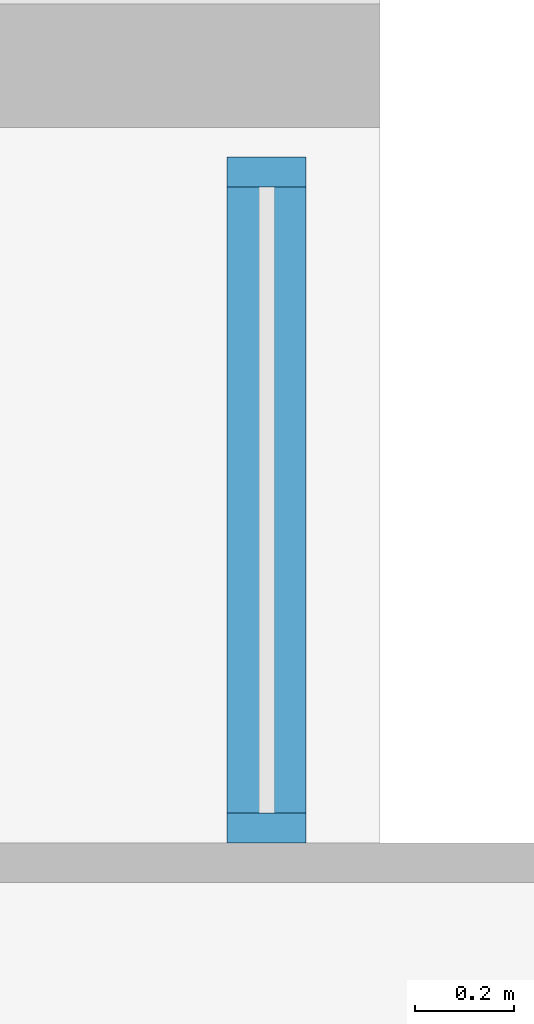
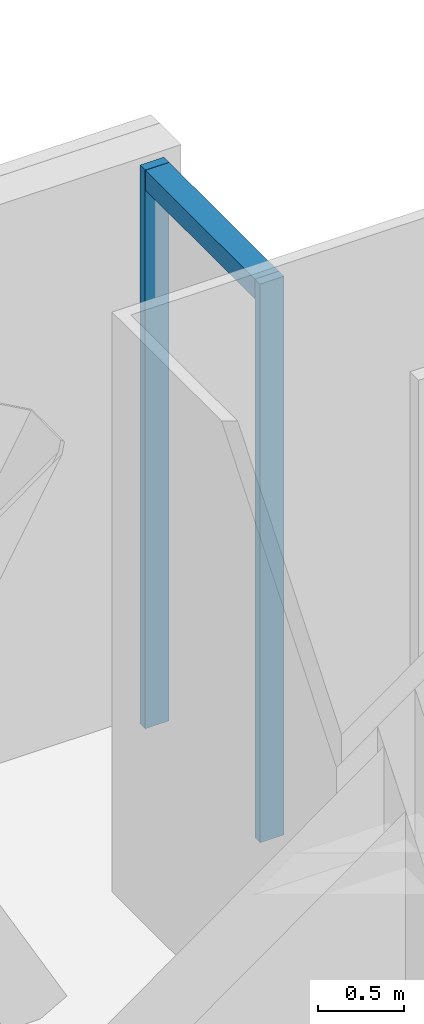
# One storey, part 14 of 22: 3 members, 1 element without a shape of its own.
"""IFC4 building model written with IfcOpenShell, lengths in metres."""

from ifc_helpers import new_model, si_unit, direction, frame, origin, origin_2d, place, context, subcontext, project, spatial, rectangle, extrude, material, material_profile, profile_set, type_object, element, aggregate, save


model = new_model("IFC4")

# Units and contexts
model_context = context("Model", 3, precision=1e-05, world=origin(), true_north=direction((0.0, 1.0)))
body_context = subcontext(model_context, "Body", "Model", "MODEL_VIEW")
ifc_project = project(units=[si_unit("LENGTHUNIT", "METRE"), si_unit("AREAUNIT", "SQUARE_METRE"), si_unit("VOLUMEUNIT", "CUBIC_METRE"), si_unit("PLANEANGLEUNIT", "RADIAN"), si_unit("MASSUNIT", "GRAM", prefix="KILO")], contexts=[model_context])

# Site, building, storey
site_placement = place(None, origin())
site = spatial("IfcSite", under=ifc_project, at=site_placement, CompositionType="ELEMENT")
building_placement = place(site_placement, origin())
building = spatial("IfcBuilding", under=site, at=building_placement, Name="Bicima Exchange Tower", CompositionType="ELEMENT")
storey_placement = place(building_placement, frame((0.0, 0.0, 144.5)))
storey = spatial("IfcBuildingStorey", under=building, at=storey_placement, Name="L31", CompositionType="ELEMENT", Elevation=144.5)

# Curtain wall, members
ifc_material = material(Name="Anodised bronze aluminium", Category="aluminium")
curtain_wall_type = type_object("IfcCurtainWallType", Name="Front glass wall", PredefinedType="NOTDEFINED", material=ifc_material)
curtain_wall_placement = place(storey_placement, origin())
curtain_wall = element("IfcCurtainWall", 1, at=curtain_wall_placement, inside=storey, type_object=curtain_wall_type, Name="Front glass wall L31 run 20", PredefinedType="NOTDEFINED")
ifc_material_profile_1 = material_profile(ifc_material, rectangle(XDim=0.159912109375, YDim=0.06005859375, at=origin_2d()))
ifc_profile_set_1 = profile_set([ifc_material_profile_1], Name="Anodised bronze aluminium")
member_type_1 = type_object("IfcMemberType", Name="Front glass wall mullion 60 x 160", PredefinedType="MULLION", material=ifc_profile_set_1)
member_1_placement = place(storey_placement, frame((32.77001953125, -1.669921875, 0.0), z_axis=(0.0, 0.0, 1.0), x_axis=(-1.0, 0.0, 0.0)))
member_1 = element("IfcMember", 2, at=member_1_placement, type_object=member_type_1, Name="Front glass wall mullion 1", PredefinedType="MULLION", context=body_context, shape_type="SweptSolid", body=[
    extrude(rectangle(XDim=0.159912109375, YDim=0.06005859375, at=origin_2d()), origin(), (0.0, 0.0, 1.0), 3.949951171875),
])
member_2_placement = place(storey_placement, frame((32.77001953125, -0.340087890625, 0.0), z_axis=(0.0, 0.0, 1.0), x_axis=(-1.0, 0.0, 0.0)))
member_2 = element("IfcMember", 3, at=member_2_placement, type_object=member_type_1, Name="Front glass wall mullion 2", PredefinedType="MULLION", context=body_context, shape_type="SweptSolid", body=[
    extrude(rectangle(XDim=0.159912109375, YDim=0.06005859375, at=origin_2d()), origin(), (0.0, 0.0, 1.0), 3.949951171875),
])
ifc_material_profile_2 = material_profile(ifc_material, rectangle(XDim=0.159912109375, YDim=0.139892578125, at=origin_2d()))
ifc_profile_set_2 = profile_set([ifc_material_profile_2], Name="Anodised bronze aluminium")
member_type_2 = type_object("IfcMemberType", Name="Front glass wall transom 140 x 160", PredefinedType="USERDEFINED", material=ifc_profile_set_2)
member_3_placement = place(storey_placement, frame((32.77001953125, -1.639892578125, 3.8798828125), z_axis=(0.0, 1.0, 0.0), x_axis=(-1.0, 0.0, 0.0)))
member_3 = element("IfcMember", 4, at=member_3_placement, type_object=member_type_2, Name="Front glass wall transom 1.1", ObjectType="TRANSOM", PredefinedType="USERDEFINED", context=body_context, shape_type="SweptSolid", body=[
    extrude(rectangle(XDim=0.159912109375, YDim=0.139892578125, at=origin_2d()), origin(), (0.0, 0.0, 1.0), 1.269775390625),
])
aggregate(curtain_wall, [member_1, member_2, member_3])

save(model, "model.ifc")
